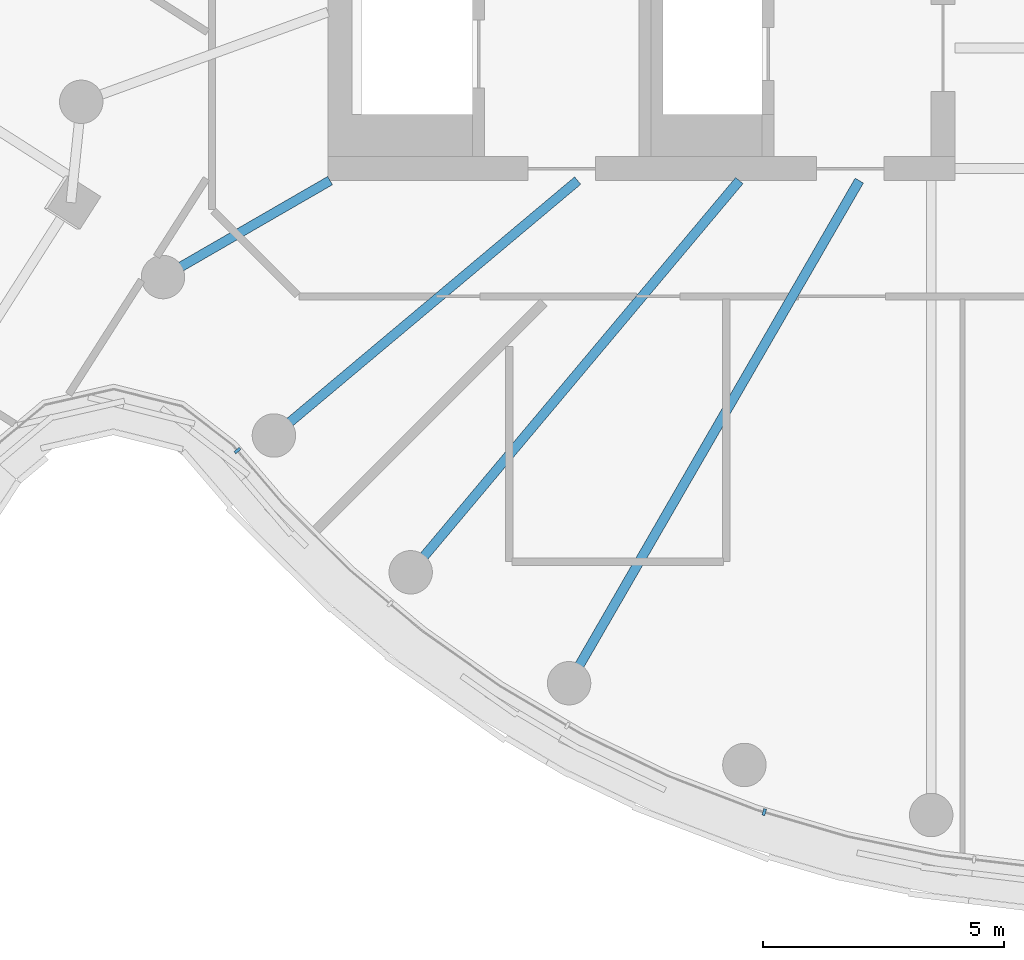
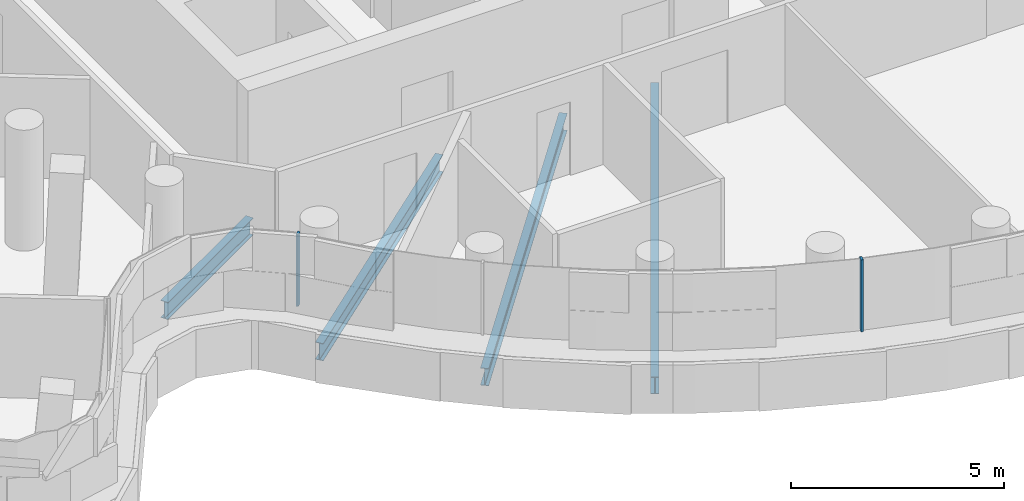
# One storey, part 3 of 27: 4 beams, 2 members, 1 element without a shape of its own.
"""IFC4 building model written with IfcOpenShell, lengths in metres."""

import ifcopenshell
import ifcopenshell.guid

model = None  # the IFC model being written
_history = None  # IfcOwnerHistory: only IFC2X3 demands one
_inside = {}  # id of a spatial element -> (the spatial element, [elements in it])
_under = {}  # id of a project, library or spatial element -> (it, [spatial elements below it])
_declared = {}  # id of a project -> (the project, [libraries it declares])
_typed = {}  # id of a type object -> (the type object, [elements of that type])
_made_of = {}  # id of a material, layer set ... -> (it, [elements and type objects made of it])


def new_model(schema):
    """Start an empty IFC model of exactly this schema.

    Asked for "IFC4X3", IfcOpenShell would pick the latest addendum, in which some entities
    have other attributes; the version numbers below select the first issue.
    IFC2X3 requires an IfcOwnerHistory on every rooted entity: one is made here for all.
    """
    global model, _history
    if schema == "IFC4X3":
        model = ifcopenshell.file(schema_version=(4, 3, 0, 0))
    else:
        model = ifcopenshell.file(schema=schema)
    _inside.clear()
    _under.clear()
    _declared.clear()
    _typed.clear()
    _made_of.clear()
    _history = None
    if model.schema == "IFC2X3":
        org = make("IfcOrganization", Name="unknown")
        user = make(
            "IfcPersonAndOrganization",
            ThePerson=make("IfcPerson", FamilyName="unknown"),
            TheOrganization=org,
        )
        app = make(
            "IfcApplication",
            ApplicationDeveloper=org,
            Version="unknown",
            ApplicationFullName="unknown",
            ApplicationIdentifier="unknown",
        )
        _history = make(
            "IfcOwnerHistory",
            OwningUser=user,
            OwningApplication=app,
            ChangeAction="ADDED",
            CreationDate=0,
        )
    return model


def make(cls, **values):
    """One entity of the class cls with the attributes given. An attribute that is None is left unset."""
    return model.create_entity(
        cls, **{name: value for name, value in values.items() if value is not None}
    )


def rooted(cls, **values):
    """An entity with a GlobalId (a new one), such as an element, a storey or a relation."""
    return make(cls, GlobalId=ifcopenshell.guid.new(), OwnerHistory=_history, **values)


def si_unit(unit_type, name, prefix=None):
    """IfcSIUnit, for example si_unit("LENGTHUNIT", "METRE", prefix="MILLI")."""
    return make("IfcSIUnit", UnitType=unit_type, Prefix=prefix, Name=name)


def assignment(units):
    """IfcUnitAssignment: the units of a project."""
    return None if units is None else make("IfcUnitAssignment", Units=units)


def point(xyz):
    """IfcCartesianPoint."""
    return None if xyz is None else make("IfcCartesianPoint", Coordinates=xyz)


def direction(xyz):
    """IfcDirection."""
    return None if xyz is None else make("IfcDirection", DirectionRatios=xyz)


def frame(location, z_axis=None, x_axis=None):
    """IfcAxis2Placement3D, a coordinate frame: its origin and axes. An axis left out is left unset."""
    return make(
        "IfcAxis2Placement3D",
        Location=point(location),
        Axis=direction(z_axis),
        RefDirection=direction(x_axis),
    )


def frame_2d(location, x_axis=None):
    """IfcAxis2Placement2D, a coordinate frame in the plane: its origin and x axis."""
    return make(
        "IfcAxis2Placement2D", Location=point(location), RefDirection=direction(x_axis)
    )


def origin():
    """The frame at (0, 0, 0) with its axes left unset."""
    return frame((0.0, 0.0, 0.0))


def origin_2d():
    """The frame at (0, 0) in the plane with its x axis left unset."""
    return frame_2d((0.0, 0.0))


def place(relative_to, where):
    """IfcLocalPlacement: puts the frame where relative to a parent placement (None: the world)."""
    return make(
        "IfcLocalPlacement", PlacementRelTo=relative_to, RelativePlacement=where
    )


def context(
    kind, dimensions, precision=None, world=None, true_north=None, identifier=None
):
    """IfcGeometricRepresentationContext, for example the 3D "Model" context."""
    return make(
        "IfcGeometricRepresentationContext",
        ContextIdentifier=identifier,
        ContextType=kind,
        CoordinateSpaceDimension=dimensions,
        Precision=precision,
        WorldCoordinateSystem=world,
        TrueNorth=true_north,
    )


def subcontext(parent, identifier, kind, view, scale=None):
    """IfcGeometricRepresentationSubContext, for example "Body" below "Model"."""
    return make(
        "IfcGeometricRepresentationSubContext",
        ContextIdentifier=identifier,
        ContextType=kind,
        ParentContext=parent,
        TargetScale=scale,
        TargetView=view,
    )


def project(units=None, contexts=None):
    """IfcProject with its units and contexts."""
    return rooted(
        "IfcProject",
        Name="project",
        RepresentationContexts=contexts,
        UnitsInContext=assignment(units),
    )


def spatial(cls, under=None, at=None, **own):
    """A site, building, storey or space (cls), placed at a placement, below another one or the project."""
    s = rooted(cls, ObjectPlacement=at, **own)
    if under is not None:
        _under.setdefault(under.id(), (under, []))[1].append(s)
    return s


def profile(cls, at=None, kind="AREA", **sizes):
    """A parametric profile (cls). Its sizes go by their IFC names, for example OverallWidth=200.0."""
    return make(cls, ProfileType=kind, Position=at, **sizes)


def rectangle(**sizes):
    """IfcRectangleProfileDef."""
    return profile("IfcRectangleProfileDef", **sizes)


def i_section(**sizes):
    """IfcIShapeProfileDef."""
    return profile("IfcIShapeProfileDef", **sizes)


def extrude(swept, where, along, depth):
    """IfcExtrudedAreaSolid: the profile swept, set in the frame where, extruded along a direction by depth."""
    return make(
        "IfcExtrudedAreaSolid",
        SweptArea=swept,
        Position=where,
        ExtrudedDirection=direction(along),
        Depth=depth,
    )


def shape(context_of_items, identifier, shape_type, items):
    """IfcShapeRepresentation: the items that make up one representation, for example the "Body"."""
    return make(
        "IfcShapeRepresentation",
        ContextOfItems=context_of_items,
        RepresentationIdentifier=identifier,
        RepresentationType=shape_type,
        Items=items,
    )


def material(Name=None, Category=None):
    """IfcMaterial."""
    return make("IfcMaterial", Name=Name, Category=Category)


def layer(
    of_material, thickness, ventilated=None, Name=None, Category=None, Priority=None
):
    """IfcMaterialLayer: one layer of a wall or slab, of a material (None: an air gap)."""
    return make(
        "IfcMaterialLayer",
        Material=of_material,
        LayerThickness=thickness,
        IsVentilated=ventilated,
        Name=Name,
        Category=Category,
        Priority=Priority,
    )


def layer_set(layers, Name=None):
    """IfcMaterialLayerSet."""
    return make("IfcMaterialLayerSet", MaterialLayers=layers, LayerSetName=Name)


def material_profile(
    of_material, cross_section, Name=None, Category=None, Priority=None
):
    """IfcMaterialProfile: a cross section and its material."""
    return make(
        "IfcMaterialProfile",
        Name=Name,
        Material=of_material,
        Profile=cross_section,
        Priority=Priority,
        Category=Category,
    )


def profile_set(profiles, Name=None, composite=None):
    """IfcMaterialProfileSet."""
    return make(
        "IfcMaterialProfileSet",
        Name=Name,
        MaterialProfiles=profiles,
        CompositeProfile=composite,
    )


def made_of(thing, what):
    """Note that an element or type object is made of a material, layer set ...; save() writes the relation."""
    if what is not None:
        _made_of.setdefault(what.id(), (what, []))[1].append(thing)
    return thing


def type_object(cls, material=None, **own):
    """A type object (cls), such as IfcWallType, which elements share."""
    return made_of(rooted(cls, **own), material)


def element(
    cls,
    number,
    at=None,
    inside=None,
    cuts=None,
    type_object=None,
    material=None,
    context=None,
    identifier="Body",
    shape_type=None,
    held_by="IfcProductDefinitionShape",
    body=None,
    shapes=None,
    **own,
):
    """One element of the class cls, such as IfcWall. Its Tag is "e" and its number.

    at: its placement. inside: the storey or other place that contains it. cuts: it is an
    opening in that element (IfcRelVoidsElement). A single representation is given by context,
    identifier, shape_type and body (its items); several are given by shapes. held_by: the class
    of the entity that holds the representations. save() writes the other relations.
    """
    e = rooted(cls, Tag="e%d" % number, ObjectPlacement=at, **own)
    if body is not None:
        shapes = [shape(context, identifier, shape_type, body)]
    if shapes is not None:
        e.Representation = make(held_by, Representations=shapes)
    if inside is not None:
        _inside.setdefault(inside.id(), (inside, []))[1].append(e)
    if cuts is not None:
        rooted(
            "IfcRelVoidsElement", RelatingBuildingElement=cuts, RelatedOpeningElement=e
        )
    if type_object is not None:
        _typed.setdefault(type_object.id(), (type_object, []))[1].append(e)
    return made_of(e, material)


def aggregate(whole, parts):
    """IfcRelAggregates: a whole, such as a stair, and the parts it consists of."""
    return rooted("IfcRelAggregates", RelatingObject=whole, RelatedObjects=parts)


def save(model, path):
    """Write the relations noted so far, then the file.

    IfcRelAggregates (storeys below a building ...), IfcRelContainedInSpatialStructure (elements
    in a storey), IfcRelDefinesByType, IfcRelAssociatesMaterial and IfcRelDeclares: one each for
    every whole, place, type object, material and project.
    """
    for whole, parts in _under.values():
        aggregate(whole, parts)
    for where, things in _inside.values():
        rooted(
            "IfcRelContainedInSpatialStructure",
            RelatedElements=things,
            RelatingStructure=where,
        )
    for kind, things in _typed.values():
        rooted("IfcRelDefinesByType", RelatedObjects=things, RelatingType=kind)
    for what, things in _made_of.values():
        rooted("IfcRelAssociatesMaterial", RelatedObjects=things, RelatingMaterial=what)
    for by, libraries in _declared.values():
        rooted("IfcRelDeclares", RelatingContext=by, RelatedDefinitions=libraries)
    model.write(path)


model = new_model("IFC4")

# Units and contexts
model_context = context("Model", 3, precision=1e-05, world=origin(), true_north=direction((0.0, 1.0)))
body_context = subcontext(model_context, "Body", "Model", "MODEL_VIEW")
ifc_project = project(units=[si_unit("LENGTHUNIT", "METRE"), si_unit("AREAUNIT", "SQUARE_METRE"), si_unit("VOLUMEUNIT", "CUBIC_METRE"), si_unit("PLANEANGLEUNIT", "RADIAN"), si_unit("MASSUNIT", "GRAM", prefix="KILO")], contexts=[model_context])

# Site, building, storey
site_placement = place(None, origin())
site = spatial("IfcSite", under=ifc_project, at=site_placement, CompositionType="ELEMENT")
building_placement = place(site_placement, origin())
building = spatial("IfcBuilding", under=site, at=building_placement, Name="Tamarind Cross Interchange Tower", CompositionType="ELEMENT")
storey_placement = place(building_placement, frame((0.0, 0.0, 241.5)))
storey = spatial("IfcBuildingStorey", under=building, at=storey_placement, Name="L61", CompositionType="ELEMENT", Elevation=241.5)

# Beams
ifc_material_1 = material(Name="Steel Q355B", Category="steel")
ifc_material_profile_1 = material_profile(ifc_material_1, i_section(OverallWidth=0.198974609375, OverallDepth=0.49609375, WebThickness=0.009033203125, FlangeThickness=0.013916015625, FilletRadius=0.012939453125, at=origin_2d()), Name="HN 496x199x9x14")
ifc_profile_set_1 = profile_set([ifc_material_profile_1], Name="Steel Q355B")
beam_type = type_object("IfcBeamType", Name="Composite beam HN 496x199x9x14 Q355B", PredefinedType="BEAM", material=ifc_profile_set_1)
beam_1_placement = place(storey_placement, frame((-19.918701171875, -11.5, -0.387939453125), z_axis=(0.866026010844, 0.49999894854, 0.0), x_axis=(-0.49999894854, 0.866026010844, 0.0)))
element("IfcBeam", 1, at=beam_1_placement, inside=storey, type_object=beam_type, Name="Beam HH21", PredefinedType="BEAM", context=body_context, shape_type="SweptSolid", body=[
    extrude(i_section(OverallWidth=0.198974609375, OverallDepth=0.49609375, WebThickness=0.009033203125, FlangeThickness=0.013916015625, FilletRadius=0.012939453125, at=origin_2d()), origin(), (0.0, 0.0, 1.0), 4.0),
])
beam_2_placement = place(storey_placement, frame((-17.619140625, -14.7841796875, -0.387939453125), z_axis=(0.766040580814, 0.642792212574, 0.0), x_axis=(-0.642792212574, 0.766040580814, 0.0)))
element("IfcBeam", 2, at=beam_2_placement, inside=storey, type_object=beam_type, Name="Beam HH22", PredefinedType="BEAM", context=body_context, shape_type="SweptSolid", body=[
    extrude(i_section(OverallWidth=0.198974609375, OverallDepth=0.49609375, WebThickness=0.009033203125, FlangeThickness=0.013916015625, FilletRadius=0.012939453125, at=origin_2d()), origin(), (0.0, 0.0, 1.0), 8.220703125),
])
beam_3_placement = place(storey_placement, frame((-14.7841796875, -17.619140625, -0.387939453125), z_axis=(0.642786293979, 0.766045547127, 0.0), x_axis=(-0.766045547127, 0.642786293979, 0.0)))
element("IfcBeam", 3, at=beam_3_placement, inside=storey, type_object=beam_type, Name="Beam HH23", PredefinedType="BEAM", context=body_context, shape_type="SweptSolid", body=[
    extrude(i_section(OverallWidth=0.198974609375, OverallDepth=0.49609375, WebThickness=0.009033203125, FlangeThickness=0.013916015625, FilletRadius=0.012939453125, at=origin_2d()), origin(), (0.0, 0.0, 1.0), 10.598876953125),
])
beam_4_placement = place(storey_placement, frame((-11.5, -19.918701171875, -0.387939453125), z_axis=(0.499993565836, 0.866029118519, 0.0), x_axis=(-0.866029118519, 0.499993565836, 0.0)))
element("IfcBeam", 4, at=beam_4_placement, inside=storey, type_object=beam_type, Name="Beam HH24", PredefinedType="BEAM", context=body_context, shape_type="SweptSolid", body=[
    extrude(i_section(OverallWidth=0.198974609375, OverallDepth=0.49609375, WebThickness=0.009033203125, FlangeThickness=0.013916015625, FilletRadius=0.012939453125, at=origin_2d()), origin(), (0.0, 0.0, 1.0), 12.030517578125),
])

# Curtain wall, members
ifc_material_2 = material(Name="Aluminium 6063-T6", Category="aluminium")
ifc_layer = layer(ifc_material_2, 0.139892578125)
ifc_layer_set = layer_set([ifc_layer], Name="Aluminium 6063-T6")
curtain_wall_type = type_object("IfcCurtainWallType", Name="Hotel curtain wall, 4.5 m bays", PredefinedType="NOTDEFINED", material=ifc_layer_set)
curtain_wall_placement = place(storey_placement, origin())
curtain_wall = element("IfcCurtainWall", 5, at=curtain_wall_placement, inside=storey, type_object=curtain_wall_type, Name="CWS-L61-02", PredefinedType="NOTDEFINED")
ifc_material_profile_2 = material_profile(ifc_material_2, rectangle(XDim=0.06005859375, YDim=0.139892578125, at=origin_2d()), Name="Mullion CW2")
ifc_profile_set_2 = profile_set([ifc_material_profile_2], Name="Aluminium 6063-T6")
member_type = type_object("IfcMemberType", Name="Mullion CW2", PredefinedType="MULLION", material=ifc_profile_set_2)
member_1_placement = place(storey_placement, frame((-18.375244140625, -15.0966796875, 1.39990234375), z_axis=(0.0, 0.0, 1.0), x_axis=(0.650429884997, -0.7595663004, 0.0)))
member_1 = element("IfcMember", 6, at=member_1_placement, type_object=member_type, Name="CWM-L61-02-01", PredefinedType="MULLION", context=body_context, shape_type="SweptSolid", body=[
    extrude(rectangle(XDim=0.06005859375, YDim=0.139892578125, at=origin_2d()), origin(), (0.0, 0.0, 1.0), 2.06005859375),
])
member_2_placement = place(storey_placement, frame((-7.454345703125, -22.5908203125, 1.39990234375), z_axis=(0.0, 0.0, 1.0), x_axis=(0.95964657186, -0.281208920763, 0.0)))
member_2 = element("IfcMember", 7, at=member_2_placement, type_object=member_type, Name="CWM-L61-02-04", PredefinedType="MULLION", context=body_context, shape_type="SweptSolid", body=[
    extrude(rectangle(XDim=0.06005859375, YDim=0.139892578125, at=origin_2d()), origin(), (0.0, 0.0, 1.0), 2.06005859375),
])
aggregate(curtain_wall, [member_1, member_2])

save(model, "model.ifc")
